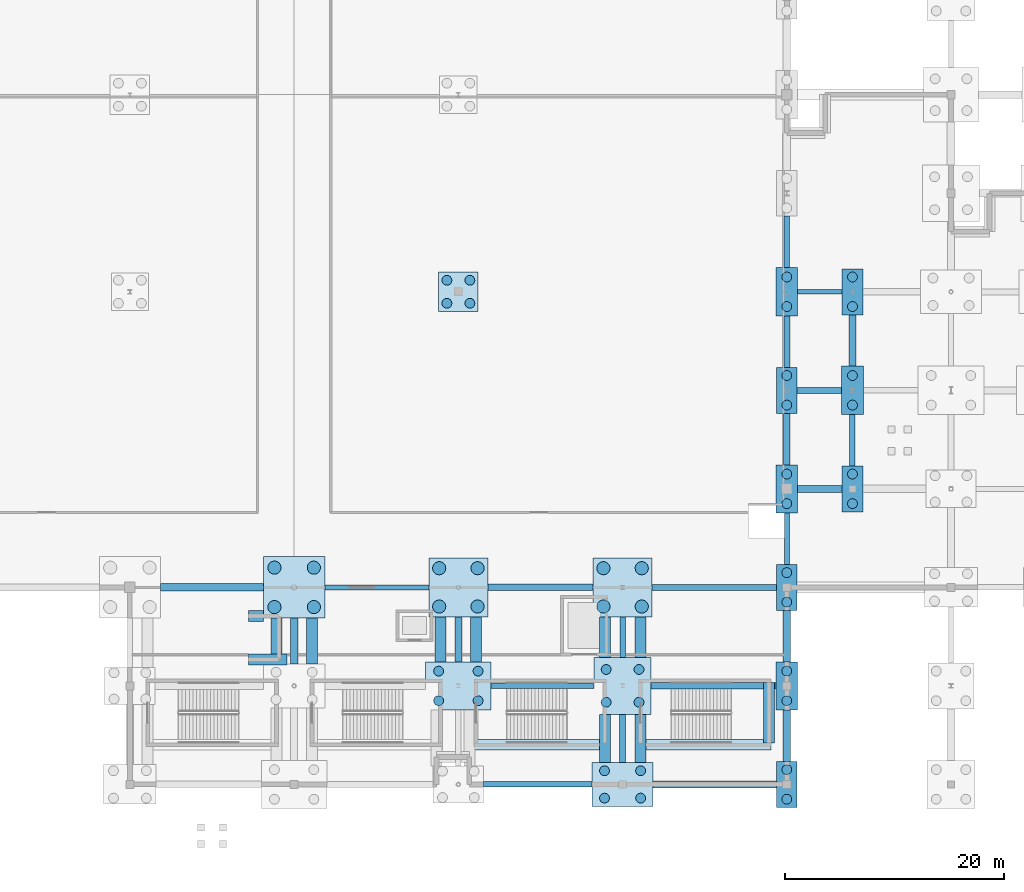
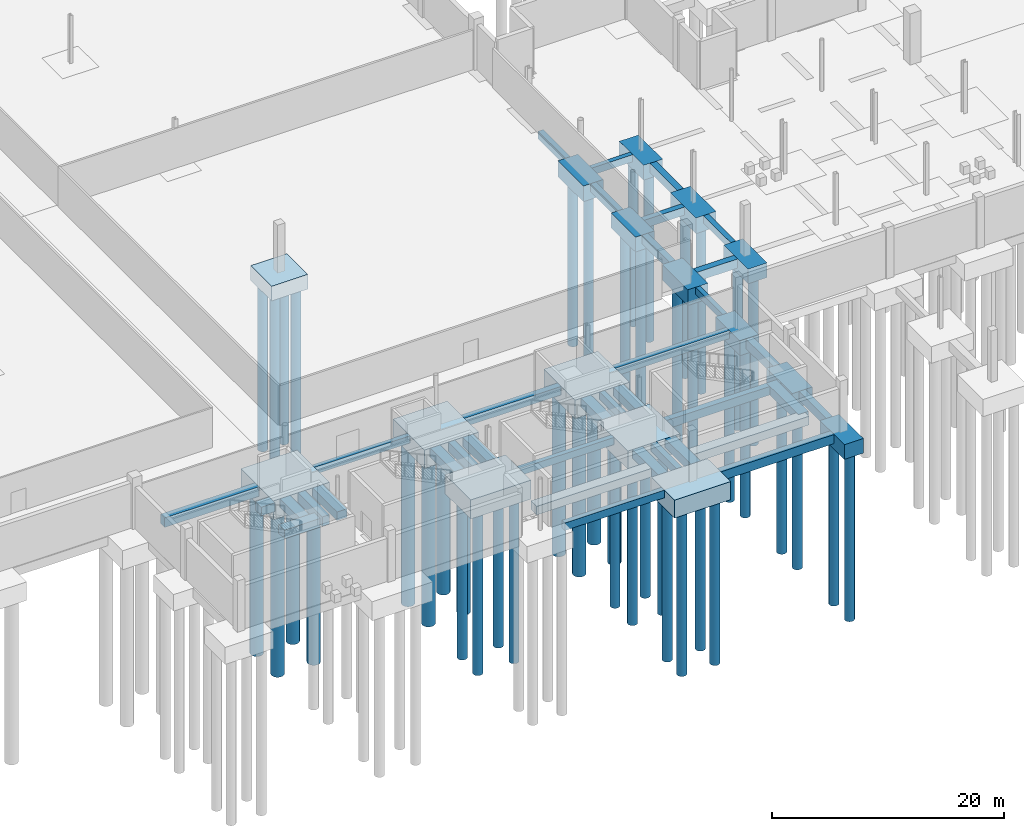
# One storey, part 2 of 58: 52 footings, 46 piles.
"""IFC4 building model written with IfcOpenShell, lengths in metres."""

from ifc_helpers import new_model, si_unit, direction, frame, origin, origin_2d, place, context, subcontext, project, spatial, rectangle, circle, extrude, material, material_profile, profile_set, type_object, element, save


model = new_model("IFC4")

# Units and contexts
model_context = context("Model", 3, precision=1e-05, world=origin(), true_north=direction((0.0, 1.0)))
body_context = subcontext(model_context, "Body", "Model", "MODEL_VIEW")
ifc_project = project(units=[si_unit("LENGTHUNIT", "METRE"), si_unit("AREAUNIT", "SQUARE_METRE"), si_unit("VOLUMEUNIT", "CUBIC_METRE"), si_unit("PLANEANGLEUNIT", "RADIAN"), si_unit("MASSUNIT", "GRAM", prefix="KILO")], contexts=[model_context])

# Site, building, storey
site_placement = place(None, origin())
site = spatial("IfcSite", under=ifc_project, at=site_placement, CompositionType="ELEMENT")
building_placement = place(site_placement, origin())
building = spatial("IfcBuilding", under=site, at=building_placement, Name="Qamarlyn Nura Convention Centre", CompositionType="ELEMENT")
storey_placement = place(building_placement, frame((0.0, 0.0, -5.39990234375)))
storey = spatial("IfcBuildingStorey", under=building, at=storey_placement, Name="B01", CompositionType="ELEMENT", Elevation=-5.39990234375)

# Footings
ifc_material = material(Name="Concrete C40/50", Category="concrete")
ifc_material_profile_1 = material_profile(ifc_material, rectangle(XDim=0.449951171875, YDim=0.75, at=origin_2d()), Name="RC GB 450x750")
ifc_profile_set_1 = profile_set([ifc_material_profile_1], Name="Concrete C40/50")
footing_type_1 = type_object("IfcFootingType", Name="GB-450X750", PredefinedType="FOOTING_BEAM", material=ifc_profile_set_1)
footing_1_placement = place(storey_placement, frame((93.0, 9.0, -0.375), z_axis=(1.0, 0.0, 0.0), x_axis=(0.0, 1.0, 0.0)))
element("IfcFooting", 1, at=footing_1_placement, inside=storey, type_object=footing_type_1, Name="Ground tie beam B 7-8", PredefinedType="FOOTING_BEAM", context=body_context, shape_type="SweptSolid", body=[
    extrude(rectangle(XDim=0.449951171875, YDim=0.75, at=origin_2d()), origin(), (0.0, 0.0, 1.0), 9.39990234375),
])
footing_2_placement = place(storey_placement, frame((77.800048828125, 18.0, -0.375), z_axis=(1.0, 0.0, 0.0), x_axis=(0.0, 1.0, 0.0)))
element("IfcFooting", 2, at=footing_2_placement, inside=storey, type_object=footing_type_1, Name="Ground tie beam C 6-7", PredefinedType="FOOTING_BEAM", context=body_context, shape_type="SweptSolid", body=[
    extrude(rectangle(XDim=0.449951171875, YDim=0.75, at=origin_2d()), origin(), (0.0, 0.0, 1.0), 9.5),
])
footing_3_placement = place(storey_placement, frame((121.0, 45.0, -0.375), z_axis=(1.0, 0.0, 0.0), x_axis=(0.0, 1.0, 0.0)))
element("IfcFooting", 3, at=footing_3_placement, inside=storey, type_object=footing_type_1, Name="Ground tie beam F 9-10", PredefinedType="FOOTING_BEAM", context=body_context, shape_type="SweptSolid", body=[
    extrude(rectangle(XDim=0.449951171875, YDim=0.75, at=origin_2d()), origin(), (0.0, 0.0, 1.0), 4.050048828125),
])
footing_4_placement = place(storey_placement, frame((120.0, 20.10009765625, -0.375), z_axis=(0.0, 1.0, 0.0), x_axis=(-1.0, 0.0, 0.0)))
element("IfcFooting", 4, at=footing_4_placement, inside=storey, type_object=footing_type_1, Name="Ground tie beam 9 C-D", PredefinedType="FOOTING_BEAM", context=body_context, shape_type="SweptSolid", body=[
    extrude(rectangle(XDim=0.449951171875, YDim=0.75, at=origin_2d()), origin(), (0.0, 0.0, 1.0), 4.699951171875),
])
ifc_material_profile_2 = material_profile(ifc_material, rectangle(XDim=0.5, YDim=0.800048828125, at=origin_2d()), Name="RC GB 500x800")
ifc_profile_set_2 = profile_set([ifc_material_profile_2], Name="Concrete C40/50")
footing_type_2 = type_object("IfcFootingType", Name="GB-500X800", PredefinedType="FOOTING_BEAM", material=ifc_profile_set_2)
footing_5_placement = place(storey_placement, frame((92.300048828125, 0.0, -0.400146484375), z_axis=(1.0, 0.0, 0.0), x_axis=(0.0, 1.0, 0.0)))
element("IfcFooting", 5, at=footing_5_placement, inside=storey, type_object=footing_type_2, Name="Ground tie beam A 7-8", PredefinedType="FOOTING_BEAM", context=body_context, shape_type="SweptSolid", body=[
    extrude(rectangle(XDim=0.5, YDim=0.800048828125, at=origin_2d()), origin(), (0.0, 0.0, 1.0), 9.89990234375),
])
footing_6_placement = place(storey_placement, frame((105.0, 11.60009765625, -0.400146484375), z_axis=(0.0, 1.0, 0.0), x_axis=(-1.0, 0.0, 0.0)))
element("IfcFooting", 6, at=footing_6_placement, inside=storey, type_object=footing_type_2, Name="Ground tie beam 8 B-C", PredefinedType="FOOTING_BEAM", context=body_context, shape_type="SweptSolid", body=[
    extrude(rectangle(XDim=0.5, YDim=0.800048828125, at=origin_2d()), origin(), (0.0, 0.0, 1.0), 3.699951171875),
])
for number, where, z_axis, x_axis, name in (
    (7, (120.0, 47.199951171875, -0.400146484375), (0.0, 1.0, 0.0), (-1.0, 0.0, 0.0), "Ground tie beam 9 F-G"),
    (8, (126.0, 29.10009765625, -0.400146484375), (0.0, 1.0, 0.0), (-1.0, 0.0, 0.0), "Ground tie beam 10 D-E"),
):
    element("IfcFooting", number, at=place(storey_placement, frame(where, z_axis=z_axis, x_axis=x_axis)), inside=storey, type_object=footing_type_2, Name=name, PredefinedType="FOOTING_BEAM", context=body_context, shape_type="SweptSolid", body=[
        extrude(rectangle(XDim=0.5, YDim=0.800048828125, at=origin_2d()), origin(), (0.0, 0.0, 1.0), 4.699951171875),
    ])
ifc_material_profile_3 = material_profile(ifc_material, rectangle(XDim=0.550048828125, YDim=0.85009765625, at=origin_2d()), Name="RC GB 550x850")
ifc_profile_set_3 = profile_set([ifc_material_profile_3], Name="Concrete C40/50")
footing_type_3 = type_object("IfcFootingType", Name="GB-550X850", PredefinedType="FOOTING_BEAM", material=ifc_profile_set_3)
footing_7_placement = place(storey_placement, frame((107.699951171875, 18.0, -0.425048828125), z_axis=(1.0, 0.0, 0.0), x_axis=(0.0, 1.0, 0.0)))
element("IfcFooting", 9, at=footing_7_placement, inside=storey, type_object=footing_type_3, Name="Ground tie beam C 8-9", PredefinedType="FOOTING_BEAM", context=body_context, shape_type="SweptSolid", body=[
    extrude(rectangle(XDim=0.550048828125, YDim=0.85009765625, at=origin_2d()), origin(), (0.0, 0.0, 1.0), 11.35009765625),
])
footing_8_placement = place(storey_placement, frame((120.949951171875, 36.0, -0.425048828125), z_axis=(1.0, 0.0, 0.0), x_axis=(0.0, 1.0, 0.0)))
element("IfcFooting", 10, at=footing_8_placement, inside=storey, type_object=footing_type_3, Name="Ground tie beam E 9-10", PredefinedType="FOOTING_BEAM", context=body_context, shape_type="SweptSolid", body=[
    extrude(rectangle(XDim=0.550048828125, YDim=0.85009765625, at=origin_2d()), origin(), (0.0, 0.0, 1.0), 4.050048828125),
])
footing_9_placement = place(storey_placement, frame((105.0, 2.0, -0.425048828125), z_axis=(0.0, 1.0, 0.0), x_axis=(-1.0, 0.0, 0.0)))
element("IfcFooting", 11, at=footing_9_placement, inside=storey, type_object=footing_type_3, Name="Ground tie beam 8 A-B", PredefinedType="FOOTING_BEAM", context=body_context, shape_type="SweptSolid", body=[
    extrude(rectangle(XDim=0.550048828125, YDim=0.85009765625, at=origin_2d()), origin(), (0.0, 0.0, 1.0), 4.39990234375),
])
footing_10_placement = place(storey_placement, frame((120.0, 38.10009765625, -0.425048828125), z_axis=(0.0, 1.0, 0.0), x_axis=(-1.0, 0.0, 0.0)))
element("IfcFooting", 12, at=footing_10_placement, inside=storey, type_object=footing_type_3, Name="Ground tie beam 9 E-F", PredefinedType="FOOTING_BEAM", context=body_context, shape_type="SweptSolid", body=[
    extrude(rectangle(XDim=0.550048828125, YDim=0.85009765625, at=origin_2d()), origin(), (0.0, 0.0, 1.0), 4.699951171875),
])
ifc_material_profile_4 = material_profile(ifc_material, rectangle(XDim=0.60009765625, YDim=0.89990234375, at=origin_2d()), Name="RC GB 600x900")
ifc_profile_set_4 = profile_set([ifc_material_profile_4], Name="Concrete C40/50")
footing_type_4 = type_object("IfcFootingType", Name="GB-600X900", PredefinedType="FOOTING_BEAM", material=ifc_profile_set_4)
footing_11_placement = place(storey_placement, frame((107.60009765625, 9.0, -0.4501953125), z_axis=(1.0, 0.0, 0.0), x_axis=(0.0, 1.0, 0.0)))
element("IfcFooting", 13, at=footing_11_placement, inside=storey, type_object=footing_type_4, Name="Ground tie beam B 8-9", PredefinedType="FOOTING_BEAM", context=body_context, shape_type="SweptSolid", body=[
    extrude(rectangle(XDim=0.60009765625, YDim=0.89990234375, at=origin_2d()), origin(), (0.0, 0.0, 1.0), 11.39990234375),
])
footing_12_placement = place(storey_placement, frame((92.699951171875, 18.0, -0.4501953125), z_axis=(1.0, 0.0, 0.0), x_axis=(0.0, 1.0, 0.0)))
element("IfcFooting", 14, at=footing_12_placement, inside=storey, type_object=footing_type_4, Name="Ground tie beam C 7-8", PredefinedType="FOOTING_BEAM", context=body_context, shape_type="SweptSolid", body=[
    extrude(rectangle(XDim=0.60009765625, YDim=0.89990234375, at=origin_2d()), origin(), (0.0, 0.0, 1.0), 9.60009765625),
])
footing_13_placement = place(storey_placement, frame((120.0, 29.199951171875, -0.4501953125), z_axis=(0.0, 1.0, 0.0), x_axis=(-1.0, 0.0, 0.0)))
element("IfcFooting", 15, at=footing_13_placement, inside=storey, type_object=footing_type_4, Name="Ground tie beam 9 D-E", PredefinedType="FOOTING_BEAM", context=body_context, shape_type="SweptSolid", body=[
    extrude(rectangle(XDim=0.60009765625, YDim=0.89990234375, at=origin_2d()), origin(), (0.0, 0.0, 1.0), 4.699951171875),
])
ifc_material_profile_5 = material_profile(ifc_material, rectangle(XDim=0.64990234375, YDim=0.949951171875, at=origin_2d()), Name="RC GB 650x950")
ifc_profile_set_5 = profile_set([ifc_material_profile_5], Name="Concrete C40/50")
footing_type_5 = type_object("IfcFootingType", Name="GB-650X950", PredefinedType="FOOTING_BEAM", material=ifc_profile_set_5)
footing_14_placement = place(storey_placement, frame((107.800048828125, 0.0, -0.47509765625), z_axis=(1.0, 0.0, 0.0), x_axis=(0.0, 1.0, 0.0)))
element("IfcFooting", 16, at=footing_14_placement, inside=storey, type_object=footing_type_5, Name="Ground tie beam A 8-9", PredefinedType="FOOTING_BEAM", context=body_context, shape_type="SweptSolid", body=[
    extrude(rectangle(XDim=0.64990234375, YDim=0.949951171875, at=origin_2d()), origin(), (0.0, 0.0, 1.0), 11.25),
])
footing_15_placement = place(storey_placement, frame((121.0, 27.0, -0.47509765625), z_axis=(1.0, 0.0, 0.0), x_axis=(0.0, 1.0, 0.0)))
element("IfcFooting", 17, at=footing_15_placement, inside=storey, type_object=footing_type_5, Name="Ground tie beam D 9-10", PredefinedType="FOOTING_BEAM", context=body_context, shape_type="SweptSolid", body=[
    extrude(rectangle(XDim=0.64990234375, YDim=0.949951171875, at=origin_2d()), origin(), (0.0, 0.0, 1.0), 4.050048828125),
])
footing_16_placement = place(storey_placement, frame((90.0, 11.199951171875, -0.47509765625), z_axis=(0.0, 1.0, 0.0), x_axis=(-1.0, 0.0, 0.0)))
element("IfcFooting", 18, at=footing_16_placement, inside=storey, type_object=footing_type_5, Name="Ground tie beam 7 B-C", PredefinedType="FOOTING_BEAM", context=body_context, shape_type="SweptSolid", body=[
    extrude(rectangle(XDim=0.64990234375, YDim=0.949951171875, at=origin_2d()), origin(), (0.0, 0.0, 1.0), 4.10009765625),
])
for number, where, z_axis, x_axis, name in (
    (19, (120.0, 2.10009765625, -0.47509765625), (0.0, 1.0, 0.0), (-1.0, 0.0, 0.0), "Ground tie beam 9 A-B"),
    (20, (126.0, 38.199951171875, -0.47509765625), (0.0, 1.0, 0.0), (-1.0, 0.0, 0.0), "Ground tie beam 10 E-F"),
):
    element("IfcFooting", number, at=place(storey_placement, frame(where, z_axis=z_axis, x_axis=x_axis)), inside=storey, type_object=footing_type_5, Name=name, PredefinedType="FOOTING_BEAM", context=body_context, shape_type="SweptSolid", body=[
        extrude(rectangle(XDim=0.64990234375, YDim=0.949951171875, at=origin_2d()), origin(), (0.0, 0.0, 1.0), 4.699951171875),
    ])
ifc_material_profile_6 = material_profile(ifc_material, rectangle(XDim=0.699951171875, YDim=1.0, at=origin_2d()), Name="RC GB 700x1000")
ifc_profile_set_6 = profile_set([ifc_material_profile_6], Name="Concrete C40/50")
footing_type_6 = type_object("IfcFootingType", Name="GB-700X1000", PredefinedType="FOOTING_BEAM", material=ifc_profile_set_6)
footing_17_placement = place(storey_placement, frame((62.800048828125, 18.0, -0.5), z_axis=(1.0, 0.0, 0.0), x_axis=(0.0, 1.0, 0.0)))
element("IfcFooting", 21, at=footing_17_placement, inside=storey, type_object=footing_type_6, Name="Ground tie beam C 5-6", PredefinedType="FOOTING_BEAM", context=body_context, shape_type="SweptSolid", body=[
    extrude(rectangle(XDim=0.699951171875, YDim=1.0, at=origin_2d()), origin(), (0.0, 0.0, 1.0), 9.39990234375),
])
footing_18_placement = place(storey_placement, frame((75.0, 11.0, -0.5), z_axis=(0.0, 1.0, 0.0), x_axis=(-1.0, 0.0, 0.0)))
element("IfcFooting", 22, at=footing_18_placement, inside=storey, type_object=footing_type_6, Name="Ground tie beam 6 B-C", PredefinedType="FOOTING_BEAM", context=body_context, shape_type="SweptSolid", body=[
    extrude(rectangle(XDim=0.699951171875, YDim=1.0, at=origin_2d()), origin(), (0.0, 0.0, 1.0), 4.199951171875),
])
footing_19_placement = place(storey_placement, frame((120.0, 11.199951171875, -0.5), z_axis=(0.0, 1.0, 0.0), x_axis=(-1.0, 0.0, 0.0)))
element("IfcFooting", 23, at=footing_19_placement, inside=storey, type_object=footing_type_6, Name="Ground tie beam 9 B-C", PredefinedType="FOOTING_BEAM", context=body_context, shape_type="SweptSolid", body=[
    extrude(rectangle(XDim=0.699951171875, YDim=1.0, at=origin_2d()), origin(), (0.0, 0.0, 1.0), 4.699951171875),
])
footing_type_7 = type_object("IfcFootingType", Name="PC-CORE-56X40", PredefinedType="PILE_CAP", material=ifc_material)
footing_20_placement = place(storey_placement, frame((105.0, 0.0, -1.900146484375), z_axis=(0.0, 0.0, 1.0), x_axis=(1.0, 0.0, 0.0)))
element("IfcFooting", 24, at=footing_20_placement, inside=storey, type_object=footing_type_7, Name="Pile cap CAP-8-A", PredefinedType="PILE_CAP", context=body_context, shape_type="SweptSolid", body=[
    extrude(rectangle(XDim=5.60009765625, YDim=4.0, at=origin_2d()), origin(), (0.0, 0.0, 1.0), 1.89990234375),
])
footing_type_8 = type_object("IfcFootingType", Name="PC-CORE-60X44", PredefinedType="PILE_CAP", material=ifc_material)
footing_21_placement = place(storey_placement, frame((90.0, 9.0, -2.0), z_axis=(0.0, 0.0, 1.0), x_axis=(1.0, 0.0, 0.0)))
element("IfcFooting", 25, at=footing_21_placement, inside=storey, type_object=footing_type_8, Name="Pile cap CAP-7-B", PredefinedType="PILE_CAP", context=body_context, shape_type="SweptSolid", body=[
    extrude(rectangle(XDim=6.0, YDim=4.39990234375, at=origin_2d()), origin(), (0.0, 0.0, 1.0), 2.0),
])
footing_type_9 = type_object("IfcFootingType", Name="PC-HALL-52", PredefinedType="PILE_CAP", material=ifc_material)
footing_22_placement = place(storey_placement, frame((105.0, 9.0, -1.900146484375), z_axis=(0.0, 0.0, 1.0), x_axis=(1.0, 0.0, 0.0)))
element("IfcFooting", 26, at=footing_22_placement, inside=storey, type_object=footing_type_9, Name="Pile cap CAP-8-B", PredefinedType="PILE_CAP", context=body_context, shape_type="SweptSolid", body=[
    extrude(rectangle(XDim=5.199951171875, YDim=5.199951171875, at=origin_2d()), origin(), (0.0, 0.0, 1.0), 1.89990234375),
])
footing_type_10 = type_object("IfcFootingType", Name="PC-MEGA-54", PredefinedType="PILE_CAP", material=ifc_material)
for number, where, z_axis, x_axis, name in (
    (27, (90.0, 18.0, -1.9501953125), (0.0, 0.0, 1.0), (1.0, 0.0, 0.0), "Pile cap CAP-7-C"),
    (28, (105.0, 18.0, -1.9501953125), (0.0, 0.0, 1.0), (1.0, 0.0, 0.0), "Pile cap CAP-8-C"),
):
    element("IfcFooting", number, at=place(storey_placement, frame(where, z_axis=z_axis, x_axis=x_axis)), inside=storey, type_object=footing_type_10, Name=name, PredefinedType="PILE_CAP", context=body_context, shape_type="SweptSolid", body=[
        extrude(rectangle(XDim=5.39990234375, YDim=5.39990234375, at=origin_2d()), origin(), (0.0, 0.0, 1.0), 1.949951171875),
    ])
footing_type_11 = type_object("IfcFootingType", Name="PC-MEGA-56", PredefinedType="PILE_CAP", material=ifc_material)
footing_23_placement = place(storey_placement, frame((75.0, 18.0, -2.0), z_axis=(0.0, 0.0, 1.0), x_axis=(1.0, 0.0, 0.0)))
element("IfcFooting", 29, at=footing_23_placement, inside=storey, type_object=footing_type_11, Name="Pile cap CAP-6-C", PredefinedType="PILE_CAP", context=body_context, shape_type="SweptSolid", body=[
    extrude(rectangle(XDim=5.60009765625, YDim=5.60009765625, at=origin_2d()), origin(), (0.0, 0.0, 1.0), 2.0),
])
footing_type_12 = type_object("IfcFootingType", Name="PC-PAIR-19X42", PredefinedType="PILE_CAP", material=ifc_material)
for number, where, z_axis, x_axis, name in (
    (30, (120.0, 0.0, -1.55029296875), (0.0, 0.0, 1.0), (1.0, 0.0, 0.0), "Pile cap CAP-9-A"),
    (31, (120.0, 18.0, -1.55029296875), (0.0, 0.0, 1.0), (1.0, 0.0, 0.0), "Pile cap CAP-9-C"),
    (32, (120.0, 36.0, -1.55029296875), (0.0, 0.0, 1.0), (1.0, 0.0, 0.0), "Pile cap CAP-9-E"),
    (33, (126.0, 27.0, -1.55029296875), (0.0, 0.0, 1.0), (1.0, 0.0, 0.0), "Pile cap CAP-10-D"),
    (34, (126.0, 45.0, -1.55029296875), (0.0, 0.0, 1.0), (1.0, 0.0, 0.0), "Pile cap CAP-10-F"),
):
    element("IfcFooting", number, at=place(storey_placement, frame(where, z_axis=z_axis, x_axis=x_axis)), inside=storey, type_object=footing_type_12, Name=name, PredefinedType="PILE_CAP", context=body_context, shape_type="SweptSolid", body=[
        extrude(rectangle(XDim=1.89990234375, YDim=4.199951171875, at=origin_2d()), origin(), (0.0, 0.0, 1.0), 1.550048828125),
    ])
footing_type_13 = type_object("IfcFootingType", Name="PC-PAIR-20X44", PredefinedType="PILE_CAP", material=ifc_material)
for number, where, z_axis, x_axis, name in (
    (35, (120.0, 9.0, -1.650146484375), (0.0, 0.0, 1.0), (1.0, 0.0, 0.0), "Pile cap CAP-9-B"),
    (36, (120.0, 27.0, -1.650146484375), (0.0, 0.0, 1.0), (1.0, 0.0, 0.0), "Pile cap CAP-9-D"),
    (37, (120.0, 45.0, -1.650146484375), (0.0, 0.0, 1.0), (1.0, 0.0, 0.0), "Pile cap CAP-9-F"),
    (38, (126.0, 36.0, -1.650146484375), (0.0, 0.0, 1.0), (1.0, 0.0, 0.0), "Pile cap CAP-10-E"),
):
    element("IfcFooting", number, at=place(storey_placement, frame(where, z_axis=z_axis, x_axis=x_axis)), inside=storey, type_object=footing_type_13, Name=name, PredefinedType="PILE_CAP", context=body_context, shape_type="SweptSolid", body=[
        extrude(rectangle(XDim=2.0, YDim=4.39990234375, at=origin_2d()), origin(), (0.0, 0.0, 1.0), 1.64990234375),
    ])
footing_type_14 = type_object("IfcFootingType", Name="PC-SUB-36X36", PredefinedType="PILE_CAP", material=ifc_material)
footing_24_placement = place(storey_placement, frame((90.0, 45.0, -1.55029296875), z_axis=(0.0, 0.0, 1.0), x_axis=(1.0, 0.0, 0.0)))
element("IfcFooting", 39, at=footing_24_placement, inside=storey, type_object=footing_type_14, Name="Pile cap CAP-7-F", PredefinedType="PILE_CAP", context=body_context, shape_type="SweptSolid", body=[
    extrude(rectangle(XDim=3.60009765625, YDim=3.60009765625, at=origin_2d()), origin(), (0.0, 0.0, 1.0), 1.550048828125),
])

# Piles
ifc_material_profile_7 = material_profile(ifc_material, circle(Radius=0.60009765625, at=origin_2d()), Name="BORED PILE 1200")
ifc_profile_set_7 = profile_set([ifc_material_profile_7], Name="Concrete C40/50")
pile_type_1 = type_object("IfcPileType", Name="PILE-1200", PredefinedType="BORED", material=ifc_profile_set_7)
for number, where, z_axis, x_axis, name in (
    (40, (73.199951171875, 16.199951171875, -1.85009765625), (0.0, 0.0, -1.0), (1.0, 0.0, 0.0), "Bored pile PILE-6-C-1"),
    (41, (76.800048828125, 16.199951171875, -1.85009765625), (0.0, 0.0, -1.0), (1.0, 0.0, 0.0), "Bored pile PILE-6-C-2"),
    (42, (73.199951171875, 19.800048828125, -1.85009765625), (0.0, 0.0, -1.0), (1.0, 0.0, 0.0), "Bored pile PILE-6-C-3"),
    (43, (76.800048828125, 19.800048828125, -1.85009765625), (0.0, 0.0, -1.0), (1.0, 0.0, 0.0), "Bored pile PILE-6-C-4"),
):
    element("IfcPile", number, at=place(storey_placement, frame(where, z_axis=z_axis, x_axis=x_axis)), inside=storey, type_object=pile_type_1, Name=name, PredefinedType="BORED", context=body_context, shape_type="SweptSolid", body=[
        extrude(circle(Radius=0.60009765625, at=origin_2d()), origin(), (0.0, 0.0, 1.0), 17.25),
    ])
for number, where, z_axis, x_axis, name in (
    (44, (88.25, 16.25, -1.800048828125), (0.0, 0.0, -1.0), (1.0, 0.0, 0.0), "Bored pile PILE-7-C-1"),
    (45, (91.75, 16.25, -1.800048828125), (0.0, 0.0, -1.0), (1.0, 0.0, 0.0), "Bored pile PILE-7-C-2"),
    (46, (88.25, 19.75, -1.800048828125), (0.0, 0.0, -1.0), (1.0, 0.0, 0.0), "Bored pile PILE-7-C-3"),
    (47, (91.75, 19.75, -1.800048828125), (0.0, 0.0, -1.0), (1.0, 0.0, 0.0), "Bored pile PILE-7-C-4"),
    (48, (103.25, 16.25, -1.800048828125), (0.0, 0.0, -1.0), (1.0, 0.0, 0.0), "Bored pile PILE-8-C-1"),
    (49, (106.75, 16.25, -1.800048828125), (0.0, 0.0, -1.0), (1.0, 0.0, 0.0), "Bored pile PILE-8-C-2"),
    (50, (103.25, 19.75, -1.800048828125), (0.0, 0.0, -1.0), (1.0, 0.0, 0.0), "Bored pile PILE-8-C-3"),
    (51, (106.75, 19.75, -1.800048828125), (0.0, 0.0, -1.0), (1.0, 0.0, 0.0), "Bored pile PILE-8-C-4"),
):
    element("IfcPile", number, at=place(storey_placement, frame(where, z_axis=z_axis, x_axis=x_axis)), inside=storey, type_object=pile_type_1, Name=name, PredefinedType="BORED", context=body_context, shape_type="SweptSolid", body=[
        extrude(circle(Radius=0.60009765625, at=origin_2d()), origin(), (0.0, 0.0, 1.0), 17.300048828125),
    ])
ifc_material_profile_8 = material_profile(ifc_material, circle(Radius=0.449951171875, at=origin_2d()), Name="BORED PILE 900")
ifc_profile_set_8 = profile_set([ifc_material_profile_8], Name="Concrete C40/50")
pile_type_2 = type_object("IfcPileType", Name="PILE-900", PredefinedType="BORED", material=ifc_profile_set_8)
for number, where, z_axis, x_axis, name in (
    (52, (88.199951171875, 7.64990234375, -1.85009765625), (0.0, 0.0, -1.0), (1.0, 0.0, 0.0), "Bored pile PILE-7-B-1"),
    (53, (91.800048828125, 7.64990234375, -1.85009765625), (0.0, 0.0, -1.0), (1.0, 0.0, 0.0), "Bored pile PILE-7-B-2"),
    (54, (88.199951171875, 10.35009765625, -1.85009765625), (0.0, 0.0, -1.0), (1.0, 0.0, 0.0), "Bored pile PILE-7-B-3"),
    (55, (91.800048828125, 10.35009765625, -1.85009765625), (0.0, 0.0, -1.0), (1.0, 0.0, 0.0), "Bored pile PILE-7-B-4"),
):
    element("IfcPile", number, at=place(storey_placement, frame(where, z_axis=z_axis, x_axis=x_axis)), inside=storey, type_object=pile_type_2, Name=name, PredefinedType="BORED", context=body_context, shape_type="SweptSolid", body=[
        extrude(circle(Radius=0.449951171875, at=origin_2d()), origin(), (0.0, 0.0, 1.0), 17.25),
    ])
for number, where, z_axis, x_axis, name in (
    (56, (88.949951171875, 43.949951171875, -1.400146484375), (0.0, 0.0, -1.0), (1.0, 0.0, 0.0), "Bored pile PILE-7-F-1"),
    (57, (91.050048828125, 43.949951171875, -1.400146484375), (0.0, 0.0, -1.0), (1.0, 0.0, 0.0), "Bored pile PILE-7-F-2"),
    (58, (88.949951171875, 46.050048828125, -1.400146484375), (0.0, 0.0, -1.0), (1.0, 0.0, 0.0), "Bored pile PILE-7-F-3"),
    (59, (91.050048828125, 46.050048828125, -1.400146484375), (0.0, 0.0, -1.0), (1.0, 0.0, 0.0), "Bored pile PILE-7-F-4"),
):
    element("IfcPile", number, at=place(storey_placement, frame(where, z_axis=z_axis, x_axis=x_axis)), inside=storey, type_object=pile_type_2, Name=name, PredefinedType="BORED", context=body_context, shape_type="SweptSolid", body=[
        extrude(circle(Radius=0.449951171875, at=origin_2d()), origin(), (0.0, 0.0, 1.0), 17.699951171875),
    ])
for number, where, z_axis, x_axis, name in (
    (60, (103.35009765625, -1.25, -1.75), (0.0, 0.0, -1.0), (1.0, 0.0, 0.0), "Bored pile PILE-8-A-1"),
    (61, (106.64990234375, -1.25, -1.75), (0.0, 0.0, -1.0), (1.0, 0.0, 0.0), "Bored pile PILE-8-A-2"),
    (62, (103.35009765625, 1.25, -1.75), (0.0, 0.0, -1.0), (1.0, 0.0, 0.0), "Bored pile PILE-8-A-3"),
    (63, (106.64990234375, 1.25, -1.75), (0.0, 0.0, -1.0), (1.0, 0.0, 0.0), "Bored pile PILE-8-A-4"),
    (64, (103.5, 7.5, -1.75), (0.0, 0.0, -1.0), (1.0, 0.0, 0.0), "Bored pile PILE-8-B-1"),
    (65, (106.5, 7.5, -1.75), (0.0, 0.0, -1.0), (1.0, 0.0, 0.0), "Bored pile PILE-8-B-2"),
    (66, (103.5, 10.5, -1.75), (0.0, 0.0, -1.0), (1.0, 0.0, 0.0), "Bored pile PILE-8-B-3"),
    (67, (106.5, 10.5, -1.75), (0.0, 0.0, -1.0), (1.0, 0.0, 0.0), "Bored pile PILE-8-B-4"),
):
    element("IfcPile", number, at=place(storey_placement, frame(where, z_axis=z_axis, x_axis=x_axis)), inside=storey, type_object=pile_type_2, Name=name, PredefinedType="BORED", context=body_context, shape_type="SweptSolid", body=[
        extrude(circle(Radius=0.449951171875, at=origin_2d()), origin(), (0.0, 0.0, 1.0), 17.35009765625),
    ])
for number, where, z_axis, x_axis, name in (
    (68, (120.0, -1.35009765625, -1.400146484375), (0.0, 0.0, -1.0), (1.0, 0.0, 0.0), "Bored pile PILE-9-A-1"),
    (69, (120.0, 1.35009765625, -1.400146484375), (0.0, 0.0, -1.0), (1.0, 0.0, 0.0), "Bored pile PILE-9-A-2"),
):
    element("IfcPile", number, at=place(storey_placement, frame(where, z_axis=z_axis, x_axis=x_axis)), inside=storey, type_object=pile_type_2, Name=name, PredefinedType="BORED", context=body_context, shape_type="SweptSolid", body=[
        extrude(circle(Radius=0.449951171875, at=origin_2d()), origin(), (0.0, 0.0, 1.0), 17.699951171875),
    ])
for number, where, z_axis, x_axis, name in (
    (70, (120.0, 7.64990234375, -1.5), (0.0, 0.0, -1.0), (1.0, 0.0, 0.0), "Bored pile PILE-9-B-1"),
    (71, (120.0, 10.35009765625, -1.5), (0.0, 0.0, -1.0), (1.0, 0.0, 0.0), "Bored pile PILE-9-B-2"),
):
    element("IfcPile", number, at=place(storey_placement, frame(where, z_axis=z_axis, x_axis=x_axis)), inside=storey, type_object=pile_type_2, Name=name, PredefinedType="BORED", context=body_context, shape_type="SweptSolid", body=[
        extrude(circle(Radius=0.449951171875, at=origin_2d()), origin(), (0.0, 0.0, 1.0), 17.60009765625),
    ])
for number, where, z_axis, x_axis, name in (
    (72, (120.0, 16.64990234375, -1.400146484375), (0.0, 0.0, -1.0), (1.0, 0.0, 0.0), "Bored pile PILE-9-C-1"),
    (73, (120.0, 19.35009765625, -1.400146484375), (0.0, 0.0, -1.0), (1.0, 0.0, 0.0), "Bored pile PILE-9-C-2"),
):
    element("IfcPile", number, at=place(storey_placement, frame(where, z_axis=z_axis, x_axis=x_axis)), inside=storey, type_object=pile_type_2, Name=name, PredefinedType="BORED", context=body_context, shape_type="SweptSolid", body=[
        extrude(circle(Radius=0.449951171875, at=origin_2d()), origin(), (0.0, 0.0, 1.0), 17.699951171875),
    ])
for number, where, z_axis, x_axis, name in (
    (74, (120.0, 25.64990234375, -1.5), (0.0, 0.0, -1.0), (1.0, 0.0, 0.0), "Bored pile PILE-9-D-1"),
    (75, (120.0, 28.35009765625, -1.5), (0.0, 0.0, -1.0), (1.0, 0.0, 0.0), "Bored pile PILE-9-D-2"),
):
    element("IfcPile", number, at=place(storey_placement, frame(where, z_axis=z_axis, x_axis=x_axis)), inside=storey, type_object=pile_type_2, Name=name, PredefinedType="BORED", context=body_context, shape_type="SweptSolid", body=[
        extrude(circle(Radius=0.449951171875, at=origin_2d()), origin(), (0.0, 0.0, 1.0), 17.60009765625),
    ])
for number, where, z_axis, x_axis, name in (
    (76, (120.0, 34.64990234375, -1.400146484375), (0.0, 0.0, -1.0), (1.0, 0.0, 0.0), "Bored pile PILE-9-E-1"),
    (77, (120.0, 37.35009765625, -1.400146484375), (0.0, 0.0, -1.0), (1.0, 0.0, 0.0), "Bored pile PILE-9-E-2"),
):
    element("IfcPile", number, at=place(storey_placement, frame(where, z_axis=z_axis, x_axis=x_axis)), inside=storey, type_object=pile_type_2, Name=name, PredefinedType="BORED", context=body_context, shape_type="SweptSolid", body=[
        extrude(circle(Radius=0.449951171875, at=origin_2d()), origin(), (0.0, 0.0, 1.0), 17.699951171875),
    ])
for number, where, z_axis, x_axis, name in (
    (78, (120.0, 43.64990234375, -1.5), (0.0, 0.0, -1.0), (1.0, 0.0, 0.0), "Bored pile PILE-9-F-1"),
    (79, (120.0, 46.35009765625, -1.5), (0.0, 0.0, -1.0), (1.0, 0.0, 0.0), "Bored pile PILE-9-F-2"),
):
    element("IfcPile", number, at=place(storey_placement, frame(where, z_axis=z_axis, x_axis=x_axis)), inside=storey, type_object=pile_type_2, Name=name, PredefinedType="BORED", context=body_context, shape_type="SweptSolid", body=[
        extrude(circle(Radius=0.449951171875, at=origin_2d()), origin(), (0.0, 0.0, 1.0), 17.60009765625),
    ])
for number, where, z_axis, x_axis, name in (
    (80, (126.0, 25.64990234375, -1.400146484375), (0.0, 0.0, -1.0), (1.0, 0.0, 0.0), "Bored pile PILE-10-D-1"),
    (81, (126.0, 28.35009765625, -1.400146484375), (0.0, 0.0, -1.0), (1.0, 0.0, 0.0), "Bored pile PILE-10-D-2"),
):
    element("IfcPile", number, at=place(storey_placement, frame(where, z_axis=z_axis, x_axis=x_axis)), inside=storey, type_object=pile_type_2, Name=name, PredefinedType="BORED", context=body_context, shape_type="SweptSolid", body=[
        extrude(circle(Radius=0.449951171875, at=origin_2d()), origin(), (0.0, 0.0, 1.0), 17.699951171875),
    ])
for number, where, z_axis, x_axis, name in (
    (82, (126.0, 34.64990234375, -1.5), (0.0, 0.0, -1.0), (1.0, 0.0, 0.0), "Bored pile PILE-10-E-1"),
    (83, (126.0, 37.35009765625, -1.5), (0.0, 0.0, -1.0), (1.0, 0.0, 0.0), "Bored pile PILE-10-E-2"),
):
    element("IfcPile", number, at=place(storey_placement, frame(where, z_axis=z_axis, x_axis=x_axis)), inside=storey, type_object=pile_type_2, Name=name, PredefinedType="BORED", context=body_context, shape_type="SweptSolid", body=[
        extrude(circle(Radius=0.449951171875, at=origin_2d()), origin(), (0.0, 0.0, 1.0), 17.60009765625),
    ])
for number, where, z_axis, x_axis, name in (
    (84, (126.0, 43.64990234375, -1.400146484375), (0.0, 0.0, -1.0), (1.0, 0.0, 0.0), "Bored pile PILE-10-F-1"),
    (85, (126.0, 46.35009765625, -1.400146484375), (0.0, 0.0, -1.0), (1.0, 0.0, 0.0), "Bored pile PILE-10-F-2"),
):
    element("IfcPile", number, at=place(storey_placement, frame(where, z_axis=z_axis, x_axis=x_axis)), inside=storey, type_object=pile_type_2, Name=name, PredefinedType="BORED", context=body_context, shape_type="SweptSolid", body=[
        extrude(circle(Radius=0.449951171875, at=origin_2d()), origin(), (0.0, 0.0, 1.0), 17.699951171875),
    ])

# Footings
ifc_material_profile_9 = material_profile(ifc_material, rectangle(XDim=1.0, YDim=0.89990234375, at=origin_2d()), Name="RC STRIP 1000x900")
ifc_profile_set_9 = profile_set([ifc_material_profile_9], Name="Concrete C40/50")
footing_type_15 = type_object("IfcFootingType", Name="SF-WALL-1000", PredefinedType="STRIP_FOOTING", material=ifc_profile_set_9)
for number, where, z_axis, x_axis, name in (
    (86, (73.375, 11.0, -0.4501953125), (0.0, 1.0, 0.0), (-1.0, 0.0, 0.0), "Strip footing WST-ST-05-B01-E-2"),
    (87, (76.625, 15.199951171875, -0.4501953125), (0.0, -1.0, 0.0), (1.0, 0.0, 0.0), "Strip footing WST-ST-06-B01-W-1"),
):
    element("IfcFooting", number, at=place(storey_placement, frame(where, z_axis=z_axis, x_axis=x_axis)), inside=storey, type_object=footing_type_15, Name=name, PredefinedType="STRIP_FOOTING", context=body_context, shape_type="SweptSolid", body=[
        extrude(rectangle(XDim=1.0, YDim=0.89990234375, at=origin_2d()), origin(), (0.0, 0.0, 1.0), 4.199951171875),
    ])
footing_25_placement = place(storey_placement, frame((88.375, 11.199951171875, -0.4501953125), z_axis=(0.0, 1.0, 0.0), x_axis=(-1.0, 0.0, 0.0)))
element("IfcFooting", 88, at=footing_25_placement, inside=storey, type_object=footing_type_15, Name="Strip footing WST-ST-06-B01-E-1", PredefinedType="STRIP_FOOTING", context=body_context, shape_type="SweptSolid", body=[
    extrude(rectangle(XDim=1.0, YDim=0.89990234375, at=origin_2d()), origin(), (0.0, 0.0, 1.0), 4.10009765625),
])
footing_26_placement = place(storey_placement, frame((91.449951171875, 3.625, -0.4501953125), z_axis=(1.0, 0.0, 0.0), x_axis=(0.0, 1.0, 0.0)))
element("IfcFooting", 89, at=footing_26_placement, inside=storey, type_object=footing_type_15, Name="Strip footing WST-ST-07-B01-S-1", PredefinedType="STRIP_FOOTING", context=body_context, shape_type="SweptSolid", body=[
    extrude(rectangle(XDim=1.0, YDim=0.89990234375, at=origin_2d()), origin(), (0.0, 0.0, 1.0), 12.10009765625),
])
footing_27_placement = place(storey_placement, frame((91.625, 15.300048828125, -0.4501953125), z_axis=(0.0, -1.0, 0.0), x_axis=(1.0, 0.0, 0.0)))
element("IfcFooting", 90, at=footing_27_placement, inside=storey, type_object=footing_type_15, Name="Strip footing WST-ST-07-B01-W-1", PredefinedType="STRIP_FOOTING", context=body_context, shape_type="SweptSolid", body=[
    extrude(rectangle(XDim=1.0, YDim=0.89990234375, at=origin_2d()), origin(), (0.0, 0.0, 1.0), 4.10009765625),
])
footing_28_placement = place(storey_placement, frame((103.375, 2.0, -0.4501953125), z_axis=(0.0, 1.0, 0.0), x_axis=(-1.0, 0.0, 0.0)))
element("IfcFooting", 91, at=footing_28_placement, inside=storey, type_object=footing_type_15, Name="Strip footing WST-ST-07-B01-E-1", PredefinedType="STRIP_FOOTING", context=body_context, shape_type="SweptSolid", body=[
    extrude(rectangle(XDim=1.0, YDim=0.89990234375, at=origin_2d()), origin(), (0.0, 0.0, 1.0), 4.39990234375),
])
footing_29_placement = place(storey_placement, frame((103.375, 11.60009765625, -0.4501953125), z_axis=(0.0, 1.0, 0.0), x_axis=(-1.0, 0.0, 0.0)))
element("IfcFooting", 92, at=footing_29_placement, inside=storey, type_object=footing_type_15, Name="Strip footing WST-ST-07-B01-E-2", PredefinedType="STRIP_FOOTING", context=body_context, shape_type="SweptSolid", body=[
    extrude(rectangle(XDim=1.0, YDim=0.89990234375, at=origin_2d()), origin(), (0.0, 0.0, 1.0), 3.699951171875),
])
footing_30_placement = place(storey_placement, frame((106.449951171875, 3.625, -0.4501953125), z_axis=(1.0, 0.0, 0.0), x_axis=(0.0, 1.0, 0.0)))
element("IfcFooting", 93, at=footing_30_placement, inside=storey, type_object=footing_type_15, Name="Strip footing WST-ST-08-B01-S-1", PredefinedType="STRIP_FOOTING", context=body_context, shape_type="SweptSolid", body=[
    extrude(rectangle(XDim=1.0, YDim=0.89990234375, at=origin_2d()), origin(), (0.0, 0.0, 1.0), 12.10009765625),
])
footing_31_placement = place(storey_placement, frame((106.625, 15.300048828125, -0.4501953125), z_axis=(0.0, -1.0, 0.0), x_axis=(1.0, 0.0, 0.0)))
element("IfcFooting", 94, at=footing_31_placement, inside=storey, type_object=footing_type_15, Name="Strip footing WST-ST-08-B01-W-1", PredefinedType="STRIP_FOOTING", context=body_context, shape_type="SweptSolid", body=[
    extrude(rectangle(XDim=1.0, YDim=0.89990234375, at=origin_2d()), origin(), (0.0, 0.0, 1.0), 3.699951171875),
])
footing_32_placement = place(storey_placement, frame((106.625, 6.39990234375, -0.4501953125), z_axis=(0.0, -1.0, 0.0), x_axis=(1.0, 0.0, 0.0)))
element("IfcFooting", 95, at=footing_32_placement, inside=storey, type_object=footing_type_15, Name="Strip footing WST-ST-08-B01-W-2", PredefinedType="STRIP_FOOTING", context=body_context, shape_type="SweptSolid", body=[
    extrude(rectangle(XDim=1.0, YDim=0.89990234375, at=origin_2d()), origin(), (0.0, 0.0, 1.0), 4.39990234375),
])
footing_33_placement = place(storey_placement, frame((118.375, 3.800048828125, -0.4501953125), z_axis=(0.0, 1.0, 0.0), x_axis=(-1.0, 0.0, 0.0)))
element("IfcFooting", 96, at=footing_33_placement, inside=storey, type_object=footing_type_15, Name="Strip footing WST-ST-08-B01-E-1", PredefinedType="STRIP_FOOTING", context=body_context, shape_type="SweptSolid", body=[
    extrude(rectangle(XDim=1.0, YDim=0.89990234375, at=origin_2d()), origin(), (0.0, 0.0, 1.0), 5.5),
])
footing_34_placement = place(storey_placement, frame((70.820068359375, 11.39990234375, -0.4501953125), z_axis=(1.0, 0.0, 0.0), x_axis=(0.0, 1.0, 0.0)))
element("IfcFooting", 97, at=footing_34_placement, inside=storey, type_object=footing_type_15, Name="Strip footing WSTFIN-ST-19-B01-1-1", PredefinedType="STRIP_FOOTING", context=body_context, shape_type="SweptSolid", body=[
    extrude(rectangle(XDim=1.0, YDim=0.89990234375, at=origin_2d()), origin(), (0.0, 0.0, 1.0), 3.550048828125),
])
footing_35_placement = place(storey_placement, frame((70.820068359375, 15.3798828125, -0.4501953125), z_axis=(1.0, 0.0, 0.0), x_axis=(0.0, 1.0, 0.0)))
element("IfcFooting", 98, at=footing_35_placement, inside=storey, type_object=footing_type_15, Name="Strip footing WSTFIN-ST-19-B01-2-1", PredefinedType="STRIP_FOOTING", context=body_context, shape_type="SweptSolid", body=[
    extrude(rectangle(XDim=1.0, YDim=0.89990234375, at=origin_2d()), origin(), (0.0, 0.0, 1.0), 1.3798828125),
])

save(model, "model.ifc")
